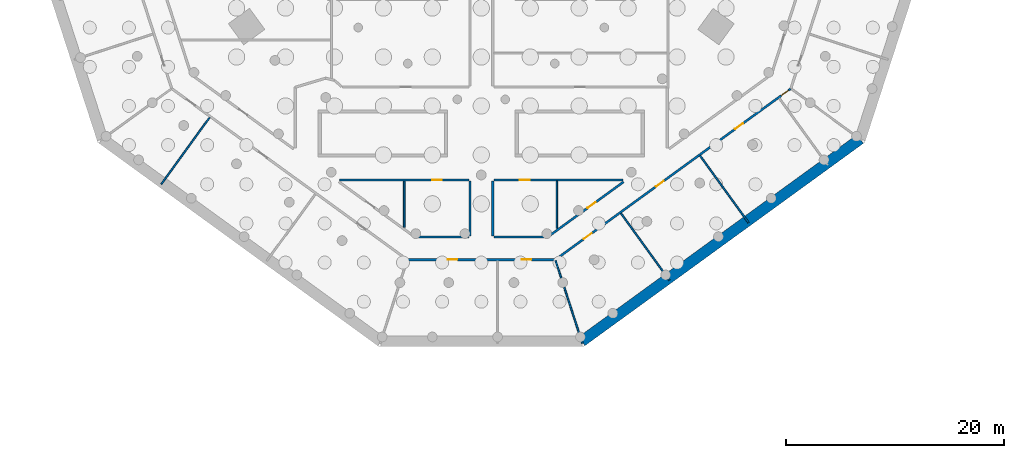
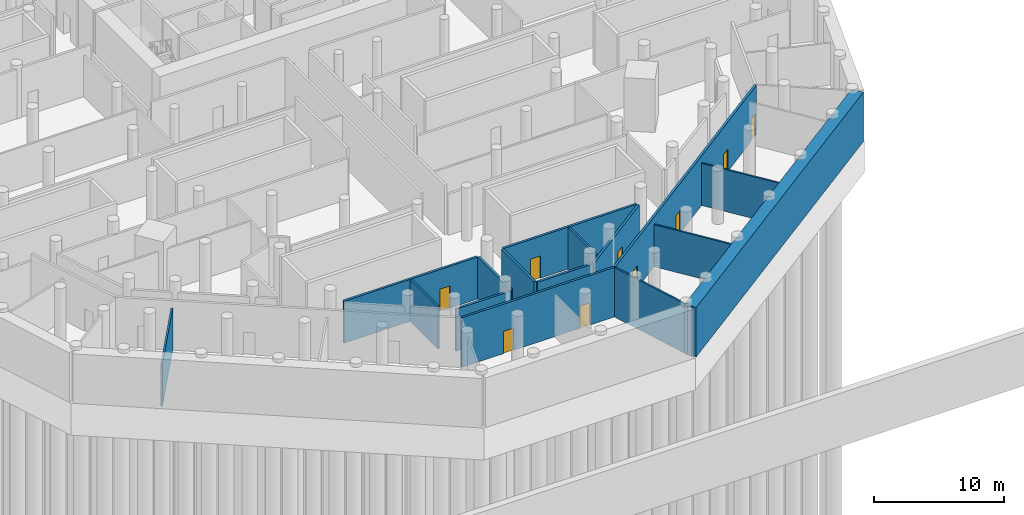
# One storey, part 5 of 12: 16 walls, 9 doors, 9 openings.
"""IFC4 building model written with IfcOpenShell, lengths in metres."""

from ifc_helpers import new_model, si_unit, direction, frame, frame_2d, origin, place, context, subcontext, project, spatial, rectangle, extrude, material, layer, layer_set, type_object, element, fill, save


model = new_model("IFC4")

# Units and contexts
model_context = context("Model", 3, precision=1e-05, world=origin(), true_north=direction((0.0, 1.0)))
body_context = subcontext(model_context, "Body", "Model", "MODEL_VIEW")
ifc_project = project(units=[si_unit("LENGTHUNIT", "METRE"), si_unit("AREAUNIT", "SQUARE_METRE"), si_unit("VOLUMEUNIT", "CUBIC_METRE"), si_unit("PLANEANGLEUNIT", "RADIAN"), si_unit("MASSUNIT", "GRAM", prefix="KILO")], contexts=[model_context])

# Site, building, storey
site_placement = place(None, origin())
site = spatial("IfcSite", under=ifc_project, at=site_placement, CompositionType="ELEMENT")
building_placement = place(site_placement, origin())
building = spatial("IfcBuilding", under=site, at=building_placement, Name="White Candle Pilgrim Tower", CompositionType="ELEMENT")
storey_placement = place(building_placement, frame((0.0, 0.0, -10.0)))
storey = spatial("IfcBuildingStorey", under=building, at=storey_placement, Name="B2", CompositionType="ELEMENT", Elevation=-10.0)

# Wall, openings, doors
ifc_material_1 = material(Name="Gypsum board on steel studs", Category="steel")
ifc_layer_1 = layer(ifc_material_1, 0.199951171875)
ifc_layer_set_1 = layer_set([ifc_layer_1], Name="Corridor wall 200 mm EI 45")
wall_type_1 = type_object("IfcWallType", Name="Corridor wall 200 mm EI 45", PredefinedType="PARTITIONING", material=ifc_layer_set_1)
wall_1_placement = place(storey_placement, frame((98.437255859375, 47.578857421875, 0.0), z_axis=(0.0, 0.0, 1.0), x_axis=(-0.809016646189, -0.587785731529, 0.0)))
wall_1 = element("IfcWall", 1, at=wall_1_placement, inside=storey, type_object=wall_type_1, Name="WL-B2-P021", PredefinedType="PARTITIONING", context=body_context, shape_type="SweptSolid", body=[
    extrude(rectangle(XDim=26.708251953125, YDim=0.199951171875, at=frame_2d((13.35400390625, 0.0))), origin(), (0.0, 0.0, 1.0), 4.64990234375),
])
opening_1_placement = place(wall_1_placement, frame((22.597412109375, 0.0, 0.0)))
opening_1 = element("IfcOpeningElement", 2, at=opening_1_placement, cuts=wall_1, Name="Opening B2-112", PredefinedType="OPENING", context=body_context, shape_type="SweptSolid", body=[
    extrude(rectangle(XDim=0.89990234375, YDim=2.10009765625, at=frame_2d((0.449951171875, 1.050048828125))), frame((0.0, 0.10986328125, 0.0), z_axis=(0.0, -1.0, 0.0), x_axis=(1.0, 0.0, 0.0)), (0.0, 0.0, 1.0), 0.219970703125),
])
opening_2_placement = place(wall_1_placement, frame((14.404052734375, 0.0, 0.0)))
opening_2 = element("IfcOpeningElement", 3, at=opening_2_placement, cuts=wall_1, Name="Opening B2-113", PredefinedType="OPENING", context=body_context, shape_type="SweptSolid", body=[
    extrude(rectangle(XDim=0.89990234375, YDim=2.10009765625, at=frame_2d((0.449951171875, 1.050048828125))), frame((0.0, 0.10986328125, 0.0), z_axis=(0.0, -1.0, 0.0), x_axis=(1.0, 0.0, 0.0)), (0.0, 0.0, 1.0), 0.219970703125),
])
opening_3_placement = place(wall_1_placement, frame((5.404052734375, 0.0, 0.0)))
opening_3 = element("IfcOpeningElement", 4, at=opening_3_placement, cuts=wall_1, Name="Opening B2-114", PredefinedType="OPENING", context=body_context, shape_type="SweptSolid", body=[
    extrude(rectangle(XDim=0.89990234375, YDim=2.10009765625, at=frame_2d((0.449951171875, 1.050048828125))), frame((0.0, 0.10986328125, 0.0), z_axis=(0.0, -1.0, 0.0), x_axis=(1.0, 0.0, 0.0)), (0.0, 0.0, 1.0), 0.219970703125),
])
opening_4_placement = place(wall_1_placement, frame((0.2607421875, 0.0, 0.0)))
opening_4 = element("IfcOpeningElement", 5, at=opening_4_placement, cuts=wall_1, Name="Opening B2-115", PredefinedType="OPENING", context=body_context, shape_type="SweptSolid", body=[
    extrude(rectangle(XDim=0.800048828125, YDim=2.10009765625, at=frame_2d((0.39990234375, 1.050048828125))), frame((0.0, 0.10986328125, 0.0), z_axis=(0.0, -1.0, 0.0), x_axis=(1.0, 0.0, 0.0)), (0.0, 0.0, 1.0), 0.219970703125),
])
ifc_material_2 = material(Name="Steel door leaf", Category="steel")
door_type_1 = type_object("IfcDoorType", Name="Fire door 800 x 2100 EI 30", OperationType="NOTDEFINED", PredefinedType="DOOR", material=ifc_material_2)
door_1_placement = place(opening_4_placement, origin())
door_1 = element("IfcDoor", 6, at=door_1_placement, inside=storey, type_object=door_type_1, Name="Door B2-115", OperationType="SINGLE_SWING_LEFT", OverallHeight=2.10009765625, OverallWidth=0.800048828125, PredefinedType="DOOR", context=body_context, shape_type="SweptSolid", body=[
    extrude(rectangle(XDim=0.800048828125, YDim=2.10009765625, at=frame_2d((0.39990234375, 1.050048828125))), frame((0.0, 0.02490234375, 0.0), z_axis=(0.0, -1.0, 0.0), x_axis=(1.0, 0.0, 0.0)), (0.0, 0.0, 1.0), 0.050048828125),
])
fill(opening_4, door_1)
door_type_2 = type_object("IfcDoorType", Name="Fire door 900 x 2100 EI 30", OperationType="NOTDEFINED", PredefinedType="DOOR", material=ifc_material_2)
door_2_placement = place(opening_1_placement, origin())
door_2 = element("IfcDoor", 7, at=door_2_placement, inside=storey, type_object=door_type_2, Name="Door B2-112", OperationType="SINGLE_SWING_RIGHT", OverallHeight=2.10009765625, OverallWidth=0.89990234375, PredefinedType="DOOR", context=body_context, shape_type="SweptSolid", body=[
    extrude(rectangle(XDim=0.89990234375, YDim=2.10009765625, at=frame_2d((0.449951171875, 1.050048828125))), frame((0.0, 0.02490234375, 0.0), z_axis=(0.0, -1.0, 0.0), x_axis=(1.0, 0.0, 0.0)), (0.0, 0.0, 1.0), 0.050048828125),
])
fill(opening_1, door_2)
door_3_placement = place(opening_2_placement, origin())
door_3 = element("IfcDoor", 8, at=door_3_placement, inside=storey, type_object=door_type_2, Name="Door B2-113", OperationType="SINGLE_SWING_LEFT", OverallHeight=2.10009765625, OverallWidth=0.89990234375, PredefinedType="DOOR", context=body_context, shape_type="SweptSolid", body=[
    extrude(rectangle(XDim=0.89990234375, YDim=2.10009765625, at=frame_2d((0.449951171875, 1.050048828125))), frame((0.0, 0.02490234375, 0.0), z_axis=(0.0, -1.0, 0.0), x_axis=(1.0, 0.0, 0.0)), (0.0, 0.0, 1.0), 0.050048828125),
])
fill(opening_2, door_3)
door_4_placement = place(opening_3_placement, origin())
door_4 = element("IfcDoor", 9, at=door_4_placement, inside=storey, type_object=door_type_2, Name="Door B2-114", OperationType="SINGLE_SWING_RIGHT", OverallHeight=2.10009765625, OverallWidth=0.89990234375, PredefinedType="DOOR", context=body_context, shape_type="SweptSolid", body=[
    extrude(rectangle(XDim=0.89990234375, YDim=2.10009765625, at=frame_2d((0.449951171875, 1.050048828125))), frame((0.0, 0.02490234375, 0.0), z_axis=(0.0, -1.0, 0.0), x_axis=(1.0, 0.0, 0.0)), (0.0, 0.0, 1.0), 0.050048828125),
])
fill(opening_3, door_4)

wall_2_placement = place(storey_placement, frame((76.77099609375, 31.861083984375, 0.0), z_axis=(0.0, 0.0, 1.0), x_axis=(-1.0, 0.0, 0.0)))
wall_2 = element("IfcWall", 10, at=wall_2_placement, inside=storey, type_object=wall_type_1, Name="WL-B2-P022", PredefinedType="PARTITIONING", context=body_context, shape_type="SweptSolid", body=[
    extrude(rectangle(XDim=13.5419921875, YDim=0.199951171875, at=frame_2d((6.77099609375, 0.0))), origin(), (0.0, 0.0, 1.0), 4.64990234375),
])
opening_5_placement = place(wall_2_placement, frame((8.972900390625, 0.0, 0.0)))
opening_5 = element("IfcOpeningElement", 11, at=opening_5_placement, cuts=wall_2, Name="Opening B2-110", PredefinedType="OPENING", context=body_context, shape_type="SweptSolid", body=[
    extrude(rectangle(XDim=0.89990234375, YDim=2.10009765625, at=frame_2d((0.449951171875, 1.050048828125))), frame((0.0, 0.10986328125, 0.0), z_axis=(0.0, -1.0, 0.0), x_axis=(1.0, 0.0, 0.0)), (0.0, 0.0, 1.0), 0.219970703125),
])
opening_6_placement = place(wall_2_placement, frame((2.169189453125, 0.0, 0.0)))
opening_6 = element("IfcOpeningElement", 12, at=opening_6_placement, cuts=wall_2, Name="Opening B2-111", PredefinedType="OPENING", context=body_context, shape_type="SweptSolid", body=[
    extrude(rectangle(XDim=0.89990234375, YDim=2.10009765625, at=frame_2d((0.449951171875, 1.050048828125))), frame((0.0, 0.10986328125, 0.0), z_axis=(0.0, -1.0, 0.0), x_axis=(1.0, 0.0, 0.0)), (0.0, 0.0, 1.0), 0.219970703125),
])
door_5_placement = place(opening_5_placement, origin())
door_5 = element("IfcDoor", 13, at=door_5_placement, inside=storey, type_object=door_type_2, Name="Door B2-110", OperationType="SINGLE_SWING_RIGHT", OverallHeight=2.10009765625, OverallWidth=0.89990234375, PredefinedType="DOOR", context=body_context, shape_type="SweptSolid", body=[
    extrude(rectangle(XDim=0.89990234375, YDim=2.10009765625, at=frame_2d((0.449951171875, 1.050048828125))), frame((0.0, 0.02490234375, 0.0), z_axis=(0.0, -1.0, 0.0), x_axis=(1.0, 0.0, 0.0)), (0.0, 0.0, 1.0), 0.050048828125),
])
fill(opening_5, door_5)
door_6_placement = place(opening_6_placement, origin())
door_6 = element("IfcDoor", 14, at=door_6_placement, inside=storey, type_object=door_type_2, Name="Door B2-111", OperationType="SINGLE_SWING_LEFT", OverallHeight=2.10009765625, OverallWidth=0.89990234375, PredefinedType="DOOR", context=body_context, shape_type="SweptSolid", body=[
    extrude(rectangle(XDim=0.89990234375, YDim=2.10009765625, at=frame_2d((0.449951171875, 1.050048828125))), frame((0.0, 0.02490234375, 0.0), z_axis=(0.0, -1.0, 0.0), x_axis=(1.0, 0.0, 0.0)), (0.0, 0.0, 1.0), 0.050048828125),
])
fill(opening_6, door_6)

# Wall, opening, door
wall_3_placement = place(storey_placement, frame((76.147705078125, 33.980224609375, 0.0), z_axis=(0.0, 0.0, 1.0), x_axis=(0.809015553327, 0.58778723572, 0.0)))
wall_3 = element("IfcWall", 15, at=wall_3_placement, inside=storey, type_object=wall_type_1, Name="WL-B2-P036", PredefinedType="PARTITIONING", context=body_context, shape_type="SweptSolid", body=[
    extrude(rectangle(XDim=8.572509765625, YDim=0.199951171875, at=frame_2d((4.2861328125, 0.0))), origin(), (0.0, 0.0, 1.0), 3.949951171875),
])
opening_7_placement = place(wall_3_placement, frame((4.48291015625, 0.0, 0.0)))
opening_7 = element("IfcOpeningElement", 16, at=opening_7_placement, cuts=wall_3, Name="Opening B2-133", PredefinedType="OPENING", context=body_context, shape_type="SweptSolid", body=[
    extrude(rectangle(XDim=0.89990234375, YDim=2.10009765625, at=frame_2d((0.449951171875, 1.050048828125))), frame((0.0, 0.10986328125, 0.0), z_axis=(0.0, -1.0, 0.0), x_axis=(1.0, 0.0, 0.0)), (0.0, 0.0, 1.0), 0.219970703125),
])
door_7_placement = place(opening_7_placement, origin())
door_7 = element("IfcDoor", 17, at=door_7_placement, inside=storey, type_object=door_type_2, Name="Door B2-133", OperationType="SINGLE_SWING_LEFT", OverallHeight=2.10009765625, OverallWidth=0.89990234375, PredefinedType="DOOR", context=body_context, shape_type="SweptSolid", body=[
    extrude(rectangle(XDim=0.89990234375, YDim=2.10009765625, at=frame_2d((0.449951171875, 1.050048828125))), frame((0.0, 0.02490234375, 0.0), z_axis=(0.0, -1.0, 0.0), x_axis=(1.0, 0.0, 0.0)), (0.0, 0.0, 1.0), 0.050048828125),
])
fill(opening_7, door_7)

wall_4_placement = place(storey_placement, frame((83.0244140625, 39.199951171875, 0.0), z_axis=(0.0, 0.0, 1.0), x_axis=(-1.0, 0.0, 0.0)))
wall_4 = element("IfcWall", 18, at=wall_4_placement, inside=storey, type_object=wall_type_1, Name="WL-B2-P037", PredefinedType="PARTITIONING", context=body_context, shape_type="SweptSolid", body=[
    extrude(rectangle(XDim=11.87451171875, YDim=0.199951171875, at=frame_2d((5.937255859375, 0.0))), origin(), (0.0, 0.0, 1.0), 3.949951171875),
])
opening_8_placement = place(wall_4_placement, frame((8.576904296875, 0.0, 0.0)))
opening_8 = element("IfcOpeningElement", 19, at=opening_8_placement, cuts=wall_4, Name="Opening B2-132", PredefinedType="OPENING", context=body_context, shape_type="SweptSolid", body=[
    extrude(rectangle(XDim=0.89990234375, YDim=2.10009765625, at=frame_2d((0.449951171875, 1.050048828125))), frame((0.0, 0.10986328125, 0.0), z_axis=(0.0, -1.0, 0.0), x_axis=(1.0, 0.0, 0.0)), (0.0, 0.0, 1.0), 0.219970703125),
])
door_8_placement = place(opening_8_placement, origin())
door_8 = element("IfcDoor", 20, at=door_8_placement, inside=storey, type_object=door_type_2, Name="Door B2-132", OperationType="SINGLE_SWING_RIGHT", OverallHeight=2.10009765625, OverallWidth=0.89990234375, PredefinedType="DOOR", context=body_context, shape_type="SweptSolid", body=[
    extrude(rectangle(XDim=0.89990234375, YDim=2.10009765625, at=frame_2d((0.449951171875, 1.050048828125))), frame((0.0, 0.02490234375, 0.0), z_axis=(0.0, -1.0, 0.0), x_axis=(1.0, 0.0, 0.0)), (0.0, 0.0, 1.0), 0.050048828125),
])
fill(opening_8, door_8)

# Walls
wall_5_placement = place(storey_placement, frame((71.050048828125, 39.10009765625, 0.0), z_axis=(0.0, 0.0, 1.0), x_axis=(0.0, -1.0, 0.0)))
element("IfcWall", 21, at=wall_5_placement, inside=storey, type_object=wall_type_1, Name="WL-B2-P038", PredefinedType="PARTITIONING", context=body_context, shape_type="SweptSolid", body=[
    extrude(rectangle(XDim=5.0390625, YDim=0.199951171875, at=frame_2d((2.51953125, 0.0))), origin(), (0.0, 0.0, 1.0), 3.949951171875),
])
wall_6_placement = place(storey_placement, frame((71.14990234375, 33.961181640625, 0.0), z_axis=(0.0, 0.0, 1.0), x_axis=(1.0, 0.0, 0.0)))
element("IfcWall", 22, at=wall_6_placement, inside=storey, type_object=wall_type_1, Name="WL-B2-P039", PredefinedType="PARTITIONING", context=body_context, shape_type="SweptSolid", body=[
    extrude(rectangle(XDim=4.93896484375, YDim=0.199951171875, at=frame_2d((2.469482421875, 0.0))), origin(), (0.0, 0.0, 1.0), 3.949951171875),
])
wall_7_placement = place(storey_placement, frame((68.949951171875, 34.06103515625, 0.0), z_axis=(0.0, 0.0, 1.0), x_axis=(0.0, 1.0, 0.0)))
element("IfcWall", 23, at=wall_7_placement, inside=storey, type_object=wall_type_1, Name="WL-B2-P055", PredefinedType="PARTITIONING", context=body_context, shape_type="SweptSolid", body=[
    extrude(rectangle(XDim=5.0390625, YDim=0.199951171875, at=frame_2d((2.51953125, 0.0))), origin(), (0.0, 0.0, 1.0), 3.949951171875),
])

# Wall, opening, door
wall_8_placement = place(storey_placement, frame((68.85009765625, 39.199951171875, 0.0), z_axis=(0.0, 0.0, 1.0), x_axis=(-1.0, 0.0, 0.0)))
wall_8 = element("IfcWall", 24, at=wall_8_placement, inside=storey, type_object=wall_type_1, Name="WL-B2-P056", PredefinedType="PARTITIONING", context=body_context, shape_type="SweptSolid", body=[
    extrude(rectangle(XDim=11.87451171875, YDim=0.199951171875, at=frame_2d((5.937255859375, 0.0))), origin(), (0.0, 0.0, 1.0), 3.949951171875),
])
opening_9_placement = place(wall_8_placement, frame((2.464599609375, 0.0, 0.0)))
opening_9 = element("IfcOpeningElement", 25, at=opening_9_placement, cuts=wall_8, Name="Opening B2-135", PredefinedType="OPENING", context=body_context, shape_type="SweptSolid", body=[
    extrude(rectangle(XDim=0.89990234375, YDim=2.10009765625, at=frame_2d((0.449951171875, 1.050048828125))), frame((0.0, 0.10986328125, 0.0), z_axis=(0.0, -1.0, 0.0), x_axis=(1.0, 0.0, 0.0)), (0.0, 0.0, 1.0), 0.219970703125),
])
door_9_placement = place(opening_9_placement, origin())
door_9 = element("IfcDoor", 26, at=door_9_placement, inside=storey, type_object=door_type_2, Name="Door B2-135", OperationType="SINGLE_SWING_LEFT", OverallHeight=2.10009765625, OverallWidth=0.89990234375, PredefinedType="DOOR", context=body_context, shape_type="SweptSolid", body=[
    extrude(rectangle(XDim=0.89990234375, YDim=2.10009765625, at=frame_2d((0.449951171875, 1.050048828125))), frame((0.0, 0.02490234375, 0.0), z_axis=(0.0, -1.0, 0.0), x_axis=(1.0, 0.0, 0.0)), (0.0, 0.0, 1.0), 0.050048828125),
])
fill(opening_9, door_9)

# Walls
wall_9_placement = place(storey_placement, frame((63.9111328125, 33.961181640625, 0.0), z_axis=(0.0, 0.0, 1.0), x_axis=(1.0, 0.0, 0.0)))
element("IfcWall", 27, at=wall_9_placement, inside=storey, type_object=wall_type_1, Name="WL-B2-P058", PredefinedType="PARTITIONING", context=body_context, shape_type="SweptSolid", body=[
    extrude(rectangle(XDim=4.93896484375, YDim=0.199951171875, at=frame_2d((2.469482421875, 0.0))), origin(), (0.0, 0.0, 1.0), 3.949951171875),
])
ifc_material_3 = material(Name="Concrete C40/50", Category="concrete")
ifc_layer_2 = layer(ifc_material_3, 1.0)
ifc_layer_set_2 = layer_set([ifc_layer_2], Name="Diaphragm wall 1000")
wall_type_2 = type_object("IfcWallType", Name="Diaphragm wall 1000", PredefinedType="SOLIDWALL", material=ifc_layer_set_2)
wall_10_placement = place(storey_placement, frame((104.843505859375, 42.962646484375, 0.0), z_axis=(0.0, 0.0, 1.0), x_axis=(-0.809018883304, -0.587782652396, 0.0)))
element("IfcWall", 28, at=wall_10_placement, inside=storey, type_object=wall_type_2, Name="Diaphragm wall B2-02", PredefinedType="SOLIDWALL", context=body_context, shape_type="SweptSolid", body=[
    extrude(rectangle(XDim=31.64697265625, YDim=1.0, at=frame_2d((15.823486328125, 0.0))), origin(), (0.0, 0.0, 1.0), 4.64990234375),
])
ifc_layer_3 = layer(ifc_material_1, 0.14990234375)
ifc_layer_set_3 = layer_set([ifc_layer_3], Name="Partition 150 mm EI 60")
wall_type_3 = type_object("IfcWallType", Name="Partition 150 mm EI 60", PredefinedType="PARTITIONING", material=ifc_layer_set_3)
wall_11_placement = place(storey_placement, frame((79.299072265625, 24.18115234375, 0.0), z_axis=(0.0, 0.0, 1.0), x_axis=(-0.309032181924, 0.951051581427, 0.0)))
element("IfcWall", 29, at=wall_11_placement, inside=storey, type_object=wall_type_3, Name="WL-B2-P062", PredefinedType="PARTITIONING", context=body_context, shape_type="SweptSolid", body=[
    extrude(rectangle(XDim=7.990234375, YDim=0.14990234375, at=frame_2d((3.9951171875, 0.0))), origin(), (0.0, 0.0, 1.0), 4.64990234375),
])
for number, where, z_axis, x_axis, name in (
    (30, (40.571044921875, 38.806396484375, 0.0), (0.0, 0.0, 1.0), (0.587800109381, 0.80900619986, 0.0), "WL-B2-P069"),
    (31, (87.293701171875, 29.989501953125, 0.0), (0.0, 0.0, 1.0), (-0.587800109381, 0.80900619986, 0.0), "WL-B2-P072"),
):
    element("IfcWall", number, at=place(storey_placement, frame(where, z_axis=z_axis, x_axis=x_axis)), inside=storey, type_object=wall_type_3, Name=name, PredefinedType="PARTITIONING", context=body_context, shape_type="SweptSolid", body=[
        extrude(rectangle(XDim=7.580078125, YDim=0.14990234375, at=frame_2d((3.7900390625, 0.0))), origin(), (0.0, 0.0, 1.0), 3.949951171875),
    ])
wall_12_placement = place(storey_placement, frame((94.57470703125, 35.279541015625, 0.0), z_axis=(0.0, 0.0, 1.0), x_axis=(-0.587779028788, 0.809021515979, 0.0)))
element("IfcWall", 32, at=wall_12_placement, inside=storey, type_object=wall_type_3, Name="WL-B2-P073", PredefinedType="PARTITIONING", context=body_context, shape_type="SweptSolid", body=[
    extrude(rectangle(XDim=7.579833984375, YDim=0.14990234375, at=frame_2d((3.7900390625, 0.0))), origin(), (0.0, 0.0, 1.0), 3.949951171875),
])
wall_13_placement = place(storey_placement, frame((76.945068359375, 34.73779296875, 0.0), z_axis=(0.0, 0.0, 1.0), x_axis=(0.0, 1.0, 0.0)))
element("IfcWall", 33, at=wall_13_placement, inside=storey, type_object=wall_type_3, Name="WL-B2-P089", PredefinedType="PARTITIONING", context=body_context, shape_type="SweptSolid", body=[
    extrude(rectangle(XDim=4.3623046875, YDim=0.14990234375, at=frame_2d((2.18115234375, 0.0))), origin(), (0.0, 0.0, 1.0), 3.949951171875),
])
wall_14_placement = place(storey_placement, frame((62.920654296875, 34.835205078125, 0.0), z_axis=(0.0, 0.0, 1.0), x_axis=(0.0, 1.0, 0.0)))
element("IfcWall", 34, at=wall_14_placement, inside=storey, type_object=wall_type_3, Name="WL-B2-P090", PredefinedType="PARTITIONING", context=body_context, shape_type="SweptSolid", body=[
    extrude(rectangle(XDim=4.264892578125, YDim=0.14990234375, at=frame_2d((2.13232421875, 0.0))), origin(), (0.0, 0.0, 1.0), 3.949951171875),
])

save(model, "model.ifc")
